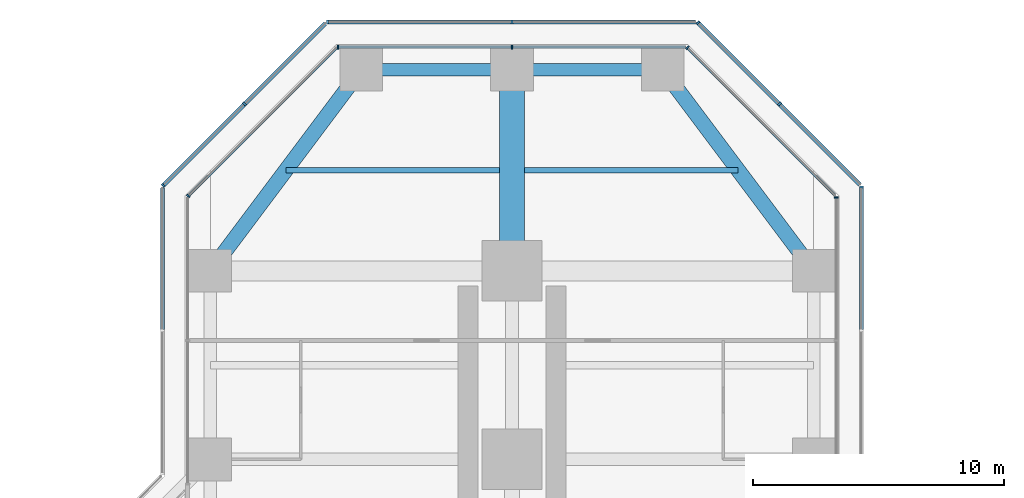
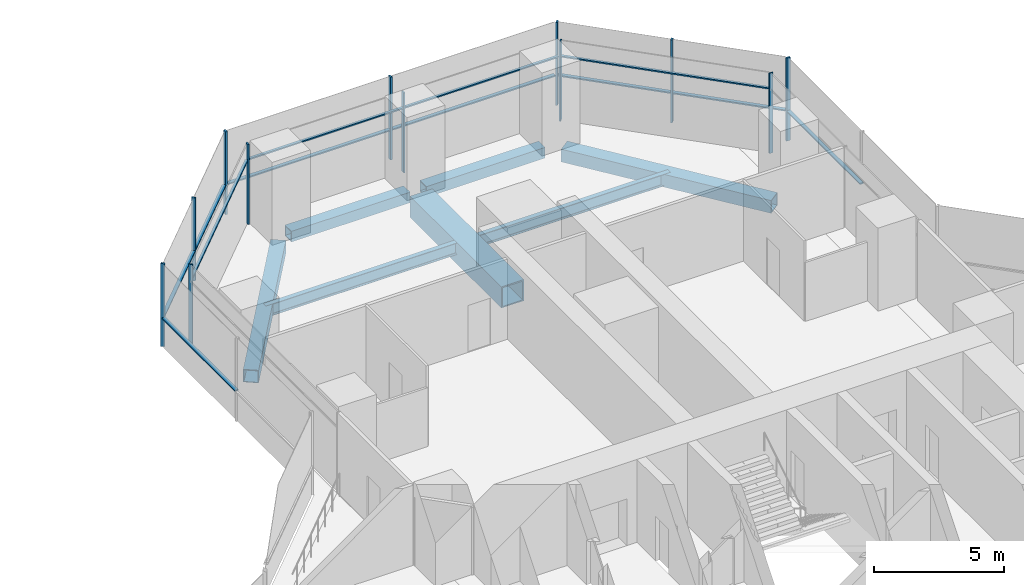
# One storey, part 13 of 22: 24 members, 7 beams, 9 elements without a shape of their own.
"""IFC4 building model written with IfcOpenShell, lengths in metres."""

from ifc_helpers import new_model, si_unit, direction, frame, origin, origin_2d, place, context, subcontext, project, spatial, rectangle, hollow_rectangle, i_section, extrude, material, material_profile, profile_set, type_object, element, aggregate, save


model = new_model("IFC4")

# Units and contexts
model_context = context("Model", 3, precision=1e-05, world=origin(), true_north=direction((0.0, 1.0)))
body_context = subcontext(model_context, "Body", "Model", "MODEL_VIEW")
ifc_project = project(units=[si_unit("LENGTHUNIT", "METRE"), si_unit("AREAUNIT", "SQUARE_METRE"), si_unit("VOLUMEUNIT", "CUBIC_METRE"), si_unit("PLANEANGLEUNIT", "RADIAN"), si_unit("MASSUNIT", "GRAM", prefix="KILO")], contexts=[model_context])

# Site, building, storey
site_placement = place(None, origin())
site = spatial("IfcSite", under=ifc_project, at=site_placement, CompositionType="ELEMENT")
building_placement = place(site_placement, origin())
building = spatial("IfcBuilding", under=site, at=building_placement, Name="Mizan Broadcast Tower", CompositionType="ELEMENT")
storey_placement = place(building_placement, frame((0.0, 0.0, 86.39990234375)))
storey = spatial("IfcBuildingStorey", under=building, at=storey_placement, Name="L18", CompositionType="ELEMENT", Elevation=86.39990234375)

# Beams
ifc_material_1 = material(Name="Steel S355", Category="steel")
ifc_material_profile_1 = material_profile(ifc_material_1, hollow_rectangle(XDim=0.5, YDim=0.5, WallThickness=0.030029296875, at=origin_2d()), Name="BOX 500x500x30")
ifc_profile_set_1 = profile_set([ifc_material_profile_1], Name="Steel S355")
beam_type_1 = type_object("IfcBeamType", Name="EDGE BEAM BOX 500x500x30", PredefinedType="SPANDREL", material=ifc_profile_set_1)
for number, where, z_axis, x_axis, name in (
    (1, (5.639892578125, 35.0, -0.3798828125), (-1.0, 0.0, 0.0), (0.0, -1.0, 0.0), "Edge beam BOX 500x500x30 L18 north arm"),
    (2, (-5.639892578125, 35.0, -0.3798828125), (1.0, 0.0, 0.0), (0.0, 1.0, 0.0), "Edge beam BOX 500x500x30 L18 north arm"),
):
    element("IfcBeam", number, at=place(storey_placement, frame(where, z_axis=z_axis, x_axis=x_axis)), inside=storey, type_object=beam_type_1, Name=name, PredefinedType="SPANDREL", context=body_context, shape_type="SweptSolid", body=[
        extrude(hollow_rectangle(XDim=0.5, YDim=0.5, WallThickness=0.030029296875, at=origin_2d()), origin(), (0.0, 0.0, 1.0), 5.27978515625),
    ])
ifc_material_2 = material(Name="Steel S355", Category="steel")
ifc_material_profile_2 = material_profile(ifc_material_2, hollow_rectangle(XDim=0.60009765625, YDim=0.60009765625, WallThickness=0.030029296875, at=origin_2d()), Name="BOX 600x600x30")
ifc_profile_set_2 = profile_set([ifc_material_profile_2], Name="Steel S355")
beam_type_2 = type_object("IfcBeamType", Name="EDGE BEAM BOX 600x600x30", PredefinedType="SPANDREL", material=ifc_profile_set_2)
for number, where, z_axis, x_axis, name in (
    (3, (11.639892578125, 27.47998046875, -0.429931640625), (-0.599982243973, 0.800013316712, 0.0), (-0.800013316712, -0.599982243973, 0.0), "Edge beam BOX 600x600x30 L18 north arm"),
    (4, (-11.639892578125, 27.47998046875, -0.429931640625), (0.599982243973, 0.800013316712, 0.0), (-0.800013316712, 0.599982243973, 0.0), "Edge beam BOX 600x600x30 L18 north arm"),
):
    element("IfcBeam", number, at=place(storey_placement, frame(where, z_axis=z_axis, x_axis=x_axis)), inside=storey, type_object=beam_type_2, Name=name, PredefinedType="SPANDREL", context=body_context, shape_type="SweptSolid", body=[
        extrude(hollow_rectangle(XDim=0.60009765625, YDim=0.60009765625, WallThickness=0.030029296875, at=origin_2d()), origin(), (0.0, 0.0, 1.0), 8.7998046875),
    ])
ifc_material_3 = material(Name="Steel S460", Category="steel")
ifc_material_profile_3 = material_profile(ifc_material_3, hollow_rectangle(XDim=1.0, YDim=1.0, WallThickness=0.06005859375, at=origin_2d()), Name="BOX 1000x1000x60")
ifc_profile_set_3 = profile_set([ifc_material_profile_3], Name="Steel S460")
beam_type_3 = type_object("IfcBeamType", Name="GIRDER BOX 1000x1000x60", PredefinedType="BEAM", material=ifc_profile_set_3)
beam_placement = place(storey_placement, frame((0.0, 27.47998046875, -0.6298828125), z_axis=(0.0, 1.0, 0.0), x_axis=(-1.0, 0.0, 0.0)))
element("IfcBeam", 5, at=beam_placement, inside=storey, type_object=beam_type_3, Name="Girder BOX 1000x1000x60 L18 north arm", PredefinedType="BEAM", context=body_context, shape_type="SweptSolid", body=[
    extrude(hollow_rectangle(XDim=1.0, YDim=1.0, WallThickness=0.06005859375, at=origin_2d()), origin(), (0.0, 0.0, 1.0), 7.0400390625),
])

# Curtain wall, member
ifc_material_4 = material(Name="Aluminium framed glazing", Category="aluminium")
curtain_wall_type_1 = type_object("IfcCurtainWallType", Name="INNER SKIN LOW ZONE", PredefinedType="USERDEFINED", material=ifc_material_4)
curtain_wall_1_placement = place(storey_placement, origin())
curtain_wall_1 = element("IfcCurtainWall", 6, at=curtain_wall_1_placement, inside=storey, type_object=curtain_wall_type_1, Name="Inner skin low zone L18 N side", ObjectType="INNER SKIN LOW ZONE", PredefinedType="USERDEFINED")
ifc_material_5 = material(Name="Aluminium, pale anodised", Category="aluminium")
ifc_material_profile_4 = material_profile(ifc_material_5, rectangle(XDim=0.159912109375, YDim=0.06005859375, at=origin_2d()), Name="MULLION 160x60")
ifc_profile_set_4 = profile_set([ifc_material_profile_4], Name="Aluminium, pale anodised")
member_type_1 = type_object("IfcMemberType", Name="INNER SKIN MULLION 60x160", PredefinedType="MULLION", material=ifc_profile_set_4)
member_1_placement = place(storey_placement, frame((12.89990234375, 29.928466796875, 0.0), z_axis=(0.0, 0.0, 1.0), x_axis=(-1.0, 0.0, 0.0)))
member_1 = element("IfcMember", 7, at=member_1_placement, type_object=member_type_1, Name="Inner skin low zone L18 N side mullion 3", PredefinedType="MULLION", context=body_context, shape_type="SweptSolid", body=[
    extrude(rectangle(XDim=0.159912109375, YDim=0.06005859375, at=origin_2d()), origin(), (0.0, 0.0, 1.0), 3.77001953125),
])
aggregate(curtain_wall_1, [member_1])

curtain_wall_2_placement = place(storey_placement, origin())
curtain_wall_2 = element("IfcCurtainWall", 8, at=curtain_wall_2_placement, inside=storey, type_object=curtain_wall_type_1, Name="Inner skin low zone L18 N chamfer", ObjectType="INNER SKIN LOW ZONE", PredefinedType="USERDEFINED")
member_2_placement = place(storey_placement, frame((6.979736328125, 35.87890625, 0.0), z_axis=(0.0, 0.0, 1.0), x_axis=(-0.707106781187, -0.707106781187, 0.0)))
member_2 = element("IfcMember", 9, at=member_2_placement, type_object=member_type_1, Name="Inner skin low zone L18 N chamfer mullion 2", PredefinedType="MULLION", context=body_context, shape_type="SweptSolid", body=[
    extrude(rectangle(XDim=0.159912109375, YDim=0.06005859375, at=origin_2d()), origin(), (0.0, 0.0, 1.0), 3.77001953125),
])

# Curtain wall, members
curtain_wall_3_placement = place(storey_placement, origin())
curtain_wall_3 = element("IfcCurtainWall", 10, at=curtain_wall_3_placement, inside=storey, type_object=curtain_wall_type_1, Name="Inner skin low zone L18 N end", ObjectType="INNER SKIN LOW ZONE", PredefinedType="USERDEFINED")
member_3_placement = place(storey_placement, frame((0.0, 35.89990234375, 0.0), z_axis=(0.0, 0.0, 1.0), x_axis=(0.0, -1.0, 0.0)))
member_3 = element("IfcMember", 11, at=member_3_placement, type_object=member_type_1, Name="Inner skin low zone L18 N end mullion 2", PredefinedType="MULLION", context=body_context, shape_type="SweptSolid", body=[
    extrude(rectangle(XDim=0.159912109375, YDim=0.06005859375, at=origin_2d()), origin(), (0.0, 0.0, 1.0), 3.77001953125),
])
member_4_placement = place(storey_placement, frame((-6.928466796875, 35.89990234375, 0.0), z_axis=(0.0, 0.0, 1.0), x_axis=(0.0, -1.0, 0.0)))
member_4 = element("IfcMember", 12, at=member_4_placement, type_object=member_type_1, Name="Inner skin low zone L18 N end mullion 3", PredefinedType="MULLION", context=body_context, shape_type="SweptSolid", body=[
    extrude(rectangle(XDim=0.159912109375, YDim=0.06005859375, at=origin_2d()), origin(), (0.0, 0.0, 1.0), 3.77001953125),
])

# Curtain wall, member
curtain_wall_4_placement = place(storey_placement, origin())
curtain_wall_4 = element("IfcCurtainWall", 13, at=curtain_wall_4_placement, inside=storey, type_object=curtain_wall_type_1, Name="Inner skin low zone L18 N chamfer", ObjectType="INNER SKIN LOW ZONE", PredefinedType="USERDEFINED")
member_5_placement = place(storey_placement, frame((-12.87890625, 29.979736328125, 0.0), z_axis=(0.0, 0.0, 1.0), x_axis=(0.707106781187, -0.707106781187, 0.0)))
member_5 = element("IfcMember", 14, at=member_5_placement, type_object=member_type_1, Name="Inner skin low zone L18 N chamfer mullion 2", PredefinedType="MULLION", context=body_context, shape_type="SweptSolid", body=[
    extrude(rectangle(XDim=0.159912109375, YDim=0.06005859375, at=origin_2d()), origin(), (0.0, 0.0, 1.0), 3.77001953125),
])

# Member
ifc_material_6 = material(Name="Aluminium, pale anodised", Category="aluminium")
ifc_material_profile_5 = material_profile(ifc_material_6, rectangle(XDim=0.1201171875, YDim=0.06005859375, at=origin_2d()), Name="TRANSOM 120x60")
ifc_profile_set_5 = profile_set([ifc_material_profile_5], Name="Aluminium, pale anodised")
member_type_2 = type_object("IfcMemberType", Name="INNER SKIN TRANSOM 60x120", PredefinedType="USERDEFINED", material=ifc_profile_set_5)
member_6_placement = place(storey_placement, frame((12.857666015625, 30.0009765625, 3.030029296875), z_axis=(-0.707106781187, 0.707106781187, 0.0), x_axis=(-0.707106781187, -0.707106781187, 0.0)))
member_6 = element("IfcMember", 15, at=member_6_placement, type_object=member_type_2, Name="Inner skin low zone L18 N chamfer transom 1.1", ObjectType="TRANSOM", PredefinedType="USERDEFINED", context=body_context, shape_type="SweptSolid", body=[
    extrude(rectangle(XDim=0.1201171875, YDim=0.06005859375, at=origin_2d()), origin(), (0.0, 0.0, 1.0), 8.28271484375),
])

aggregate(curtain_wall_2, [member_2, member_6])

member_7_placement = place(storey_placement, frame((6.898681640625, 35.89990234375, 3.030029296875), z_axis=(-1.0, 0.0, 0.0), x_axis=(0.0, -1.0, 0.0)))
member_7 = element("IfcMember", 16, at=member_7_placement, type_object=member_type_2, Name="Inner skin low zone L18 N end transom 1.1", ObjectType="TRANSOM", PredefinedType="USERDEFINED", context=body_context, shape_type="SweptSolid", body=[
    extrude(rectangle(XDim=0.1201171875, YDim=0.06005859375, at=origin_2d()), origin(), (0.0, 0.0, 1.0), 6.86865234375),
])

member_8_placement = place(storey_placement, frame((-0.030029296875, 35.89990234375, 3.030029296875), z_axis=(-1.0, 0.0, 0.0), x_axis=(0.0, -1.0, 0.0)))
member_8 = element("IfcMember", 17, at=member_8_placement, type_object=member_type_2, Name="Inner skin low zone L18 N end transom 2.1", ObjectType="TRANSOM", PredefinedType="USERDEFINED", context=body_context, shape_type="SweptSolid", body=[
    extrude(rectangle(XDim=0.1201171875, YDim=0.06005859375, at=origin_2d()), origin(), (0.0, 0.0, 1.0), 6.86865234375),
])

aggregate(curtain_wall_3, [member_3, member_4, member_7, member_8])

member_9_placement = place(storey_placement, frame((-7.0009765625, 35.857666015625, 3.030029296875), z_axis=(-0.707106781187, -0.707106781187, 0.0), x_axis=(0.707106781187, -0.707106781187, 0.0)))
member_9 = element("IfcMember", 18, at=member_9_placement, type_object=member_type_2, Name="Inner skin low zone L18 N chamfer transom 1.1", ObjectType="TRANSOM", PredefinedType="USERDEFINED", context=body_context, shape_type="SweptSolid", body=[
    extrude(rectangle(XDim=0.1201171875, YDim=0.06005859375, at=origin_2d()), origin(), (0.0, 0.0, 1.0), 8.28271484375),
])

aggregate(curtain_wall_4, [member_5, member_9])

# Curtain wall, member
ifc_material_7 = material(Name="Aluminium framed glazing", Category="aluminium")
curtain_wall_type_2 = type_object("IfcCurtainWallType", Name="OUTER SKIN", PredefinedType="USERDEFINED", material=ifc_material_7)
curtain_wall_5_placement = place(storey_placement, origin())
curtain_wall_5 = element("IfcCurtainWall", 19, at=curtain_wall_5_placement, inside=storey, type_object=curtain_wall_type_2, Name="Outer skin L18 N side", ObjectType="OUTER SKIN", PredefinedType="USERDEFINED")
ifc_material_8 = material(Name="Aluminium, pale anodised", Category="aluminium")
ifc_material_profile_6 = material_profile(ifc_material_8, rectangle(XDim=0.159912109375, YDim=0.080078125, at=origin_2d()), Name="MULLION 160x80")
ifc_profile_set_6 = profile_set([ifc_material_profile_6], Name="Aluminium, pale anodised")
member_type_3 = type_object("IfcMemberType", Name="OUTER SKIN MULLION 80x160", PredefinedType="MULLION", material=ifc_profile_set_6)
member_10_placement = place(storey_placement, frame((13.89990234375, 30.332763671875, 0.0), z_axis=(0.0, 0.0, 1.0), x_axis=(-1.0, 0.0, 0.0)))
member_10 = element("IfcMember", 20, at=member_10_placement, type_object=member_type_3, Name="Outer skin L18 N side mullion 3", PredefinedType="MULLION", context=body_context, shape_type="SweptSolid", body=[
    extrude(rectangle(XDim=0.159912109375, YDim=0.080078125, at=origin_2d()), origin(), (0.0, 0.0, 1.0), 3.900146484375),
])

# Curtain wall, members
curtain_wall_6_placement = place(storey_placement, origin())
curtain_wall_6 = element("IfcCurtainWall", 21, at=curtain_wall_6_placement, inside=storey, type_object=curtain_wall_type_2, Name="Outer skin L18 N chamfer", ObjectType="OUTER SKIN", PredefinedType="USERDEFINED")
member_11_placement = place(storey_placement, frame((10.636474609375, 33.636474609375, 0.0), z_axis=(0.0, 0.0, 1.0), x_axis=(-0.707106781187, -0.707106781187, 0.0)))
member_11 = element("IfcMember", 22, at=member_11_placement, type_object=member_type_3, Name="Outer skin L18 N chamfer mullion 2", PredefinedType="MULLION", context=body_context, shape_type="SweptSolid", body=[
    extrude(rectangle(XDim=0.159912109375, YDim=0.080078125, at=origin_2d()), origin(), (0.0, 0.0, 1.0), 3.900146484375),
])
member_12_placement = place(storey_placement, frame((7.401123046875, 36.871826171875, 0.0), z_axis=(0.0, 0.0, 1.0), x_axis=(-0.707106781187, -0.707106781187, 0.0)))
member_12 = element("IfcMember", 23, at=member_12_placement, type_object=member_type_3, Name="Outer skin L18 N chamfer mullion 3", PredefinedType="MULLION", context=body_context, shape_type="SweptSolid", body=[
    extrude(rectangle(XDim=0.159912109375, YDim=0.080078125, at=origin_2d()), origin(), (0.0, 0.0, 1.0), 3.900146484375),
])

curtain_wall_7_placement = place(storey_placement, origin())
curtain_wall_7 = element("IfcCurtainWall", 24, at=curtain_wall_7_placement, inside=storey, type_object=curtain_wall_type_2, Name="Outer skin L18 N end", ObjectType="OUTER SKIN", PredefinedType="USERDEFINED")
member_13_placement = place(storey_placement, frame((0.0, 36.89990234375, 0.0), z_axis=(0.0, 0.0, 1.0), x_axis=(0.0, -1.0, 0.0)))
member_13 = element("IfcMember", 25, at=member_13_placement, type_object=member_type_3, Name="Outer skin L18 N end mullion 2", PredefinedType="MULLION", context=body_context, shape_type="SweptSolid", body=[
    extrude(rectangle(XDim=0.159912109375, YDim=0.080078125, at=origin_2d()), origin(), (0.0, 0.0, 1.0), 3.900146484375),
])
member_14_placement = place(storey_placement, frame((-7.332763671875, 36.89990234375, 0.0), z_axis=(0.0, 0.0, 1.0), x_axis=(0.0, -1.0, 0.0)))
member_14 = element("IfcMember", 26, at=member_14_placement, type_object=member_type_3, Name="Outer skin L18 N end mullion 3", PredefinedType="MULLION", context=body_context, shape_type="SweptSolid", body=[
    extrude(rectangle(XDim=0.159912109375, YDim=0.080078125, at=origin_2d()), origin(), (0.0, 0.0, 1.0), 3.900146484375),
])

curtain_wall_8_placement = place(storey_placement, origin())
curtain_wall_8 = element("IfcCurtainWall", 27, at=curtain_wall_8_placement, inside=storey, type_object=curtain_wall_type_2, Name="Outer skin L18 N chamfer", ObjectType="OUTER SKIN", PredefinedType="USERDEFINED")
member_15_placement = place(storey_placement, frame((-10.636474609375, 33.636474609375, 0.0), z_axis=(0.0, 0.0, 1.0), x_axis=(0.707106781187, -0.707106781187, 0.0)))
member_15 = element("IfcMember", 28, at=member_15_placement, type_object=member_type_3, Name="Outer skin L18 N chamfer mullion 2", PredefinedType="MULLION", context=body_context, shape_type="SweptSolid", body=[
    extrude(rectangle(XDim=0.159912109375, YDim=0.080078125, at=origin_2d()), origin(), (0.0, 0.0, 1.0), 3.900146484375),
])
member_16_placement = place(storey_placement, frame((-13.871826171875, 30.401123046875, 0.0), z_axis=(0.0, 0.0, 1.0), x_axis=(0.707106781187, -0.707106781187, 0.0)))
member_16 = element("IfcMember", 29, at=member_16_placement, type_object=member_type_3, Name="Outer skin L18 N chamfer mullion 3", PredefinedType="MULLION", context=body_context, shape_type="SweptSolid", body=[
    extrude(rectangle(XDim=0.159912109375, YDim=0.080078125, at=origin_2d()), origin(), (0.0, 0.0, 1.0), 3.900146484375),
])

# Member
ifc_material_9 = material(Name="Aluminium, pale anodised", Category="aluminium")
ifc_material_profile_7 = material_profile(ifc_material_9, rectangle(XDim=0.159912109375, YDim=0.06005859375, at=origin_2d()), Name="TRANSOM 160x60")
ifc_profile_set_7 = profile_set([ifc_material_profile_7], Name="Aluminium, pale anodised")
member_type_4 = type_object("IfcMemberType", Name="OUTER SKIN TRANSOM 60x160", PredefinedType="USERDEFINED", material=ifc_profile_set_7)
member_17_placement = place(storey_placement, frame((13.89990234375, 24.662841796875, 1.400146484375), z_axis=(0.0, 1.0, 0.0), x_axis=(-1.0, 0.0, 0.0)))
member_17 = element("IfcMember", 30, at=member_17_placement, type_object=member_type_4, Name="Outer skin L18 N side transom 2.1", ObjectType="TRANSOM", PredefinedType="USERDEFINED", context=body_context, shape_type="SweptSolid", body=[
    extrude(rectangle(XDim=0.159912109375, YDim=0.06005859375, at=origin_2d()), origin(), (0.0, 0.0, 1.0), 5.6298828125),
])

aggregate(curtain_wall_5, [member_10, member_17])

member_18_placement = place(storey_placement, frame((13.843505859375, 30.429443359375, 1.400146484375), z_axis=(-0.707106781187, 0.707106781187, 0.0), x_axis=(-0.707106781187, -0.707106781187, 0.0)))
member_18 = element("IfcMember", 31, at=member_18_placement, type_object=member_type_4, Name="Outer skin L18 N chamfer transom 1.1", ObjectType="TRANSOM", PredefinedType="USERDEFINED", context=body_context, shape_type="SweptSolid", body=[
    extrude(rectangle(XDim=0.159912109375, YDim=0.06005859375, at=origin_2d()), origin(), (0.0, 0.0, 1.0), 4.495361328125),
])

member_19_placement = place(storey_placement, frame((10.608154296875, 33.664794921875, 1.400146484375), z_axis=(-0.707106781187, 0.707106781187, 0.0), x_axis=(-0.707106781187, -0.707106781187, 0.0)))
member_19 = element("IfcMember", 32, at=member_19_placement, type_object=member_type_4, Name="Outer skin L18 N chamfer transom 2.1", ObjectType="TRANSOM", PredefinedType="USERDEFINED", context=body_context, shape_type="SweptSolid", body=[
    extrude(rectangle(XDim=0.159912109375, YDim=0.06005859375, at=origin_2d()), origin(), (0.0, 0.0, 1.0), 4.495361328125),
])

aggregate(curtain_wall_6, [member_11, member_12, member_18, member_19])

member_20_placement = place(storey_placement, frame((7.292724609375, 36.89990234375, 1.400146484375), z_axis=(-1.0, 0.0, 0.0), x_axis=(0.0, -1.0, 0.0)))
member_20 = element("IfcMember", 33, at=member_20_placement, type_object=member_type_4, Name="Outer skin L18 N end transom 1.1", ObjectType="TRANSOM", PredefinedType="USERDEFINED", context=body_context, shape_type="SweptSolid", body=[
    extrude(rectangle(XDim=0.159912109375, YDim=0.06005859375, at=origin_2d()), origin(), (0.0, 0.0, 1.0), 7.252685546875),
])

member_21_placement = place(storey_placement, frame((-0.0400390625, 36.89990234375, 1.400146484375), z_axis=(-1.0, 0.0, 0.0), x_axis=(0.0, -1.0, 0.0)))
member_21 = element("IfcMember", 34, at=member_21_placement, type_object=member_type_4, Name="Outer skin L18 N end transom 2.1", ObjectType="TRANSOM", PredefinedType="USERDEFINED", context=body_context, shape_type="SweptSolid", body=[
    extrude(rectangle(XDim=0.159912109375, YDim=0.06005859375, at=origin_2d()), origin(), (0.0, 0.0, 1.0), 7.252685546875),
])

aggregate(curtain_wall_7, [member_13, member_14, member_20, member_21])

member_22_placement = place(storey_placement, frame((-7.429443359375, 36.843505859375, 1.400146484375), z_axis=(-0.707106781187, -0.707106781187, 0.0), x_axis=(0.707106781187, -0.707106781187, 0.0)))
member_22 = element("IfcMember", 35, at=member_22_placement, type_object=member_type_4, Name="Outer skin L18 N chamfer transom 1.1", ObjectType="TRANSOM", PredefinedType="USERDEFINED", context=body_context, shape_type="SweptSolid", body=[
    extrude(rectangle(XDim=0.159912109375, YDim=0.06005859375, at=origin_2d()), origin(), (0.0, 0.0, 1.0), 4.495361328125),
])

member_23_placement = place(storey_placement, frame((-10.664794921875, 33.608154296875, 1.400146484375), z_axis=(-0.707106781187, -0.707106781187, 0.0), x_axis=(0.707106781187, -0.707106781187, 0.0)))
member_23 = element("IfcMember", 36, at=member_23_placement, type_object=member_type_4, Name="Outer skin L18 N chamfer transom 2.1", ObjectType="TRANSOM", PredefinedType="USERDEFINED", context=body_context, shape_type="SweptSolid", body=[
    extrude(rectangle(XDim=0.159912109375, YDim=0.06005859375, at=origin_2d()), origin(), (0.0, 0.0, 1.0), 4.495361328125),
])

aggregate(curtain_wall_8, [member_15, member_16, member_22, member_23])

# Curtain wall, member
curtain_wall_9_placement = place(storey_placement, origin())
curtain_wall_9 = element("IfcCurtainWall", 37, at=curtain_wall_9_placement, inside=storey, type_object=curtain_wall_type_2, Name="Outer skin L18 N side", ObjectType="OUTER SKIN", PredefinedType="USERDEFINED")
member_24_placement = place(storey_placement, frame((-13.89990234375, 30.292724609375, 1.400146484375), z_axis=(0.0, -1.0, 0.0), x_axis=(1.0, 0.0, 0.0)))
member_24 = element("IfcMember", 38, at=member_24_placement, type_object=member_type_4, Name="Outer skin L18 N side transom 1.1", ObjectType="TRANSOM", PredefinedType="USERDEFINED", context=body_context, shape_type="SweptSolid", body=[
    extrude(rectangle(XDim=0.159912109375, YDim=0.06005859375, at=origin_2d()), origin(), (0.0, 0.0, 1.0), 5.6298828125),
])
aggregate(curtain_wall_9, [member_24])

# Beams
ifc_material_10 = material(Name="Steel S355", Category="steel")
ifc_material_profile_8 = material_profile(ifc_material_10, i_section(OverallWidth=0.2099609375, OverallDepth=0.550048828125, WebThickness=0.010986328125, FlangeThickness=0.01708984375, FilletRadius=0.02392578125, at=origin_2d()), Name="IPE 550")
ifc_profile_set_8 = profile_set([ifc_material_profile_8], Name="Steel S355")
beam_type_4 = type_object("IfcBeamType", Name="SECONDARY BEAM IPE 550", PredefinedType="JOIST", material=ifc_profile_set_8)
for number, where, z_axis, x_axis, name in (
    (39, (9.0, 31.0, -0.40478515625), (-1.0, 0.0, 0.0), (0.0, -1.0, 0.0), "Secondary beam IPE 550 L18 north arm"),
    (40, (-9.0, 31.0, -0.40478515625), (1.0, 0.0, 0.0), (0.0, 1.0, 0.0), "Secondary beam IPE 550 L18 north arm"),
):
    element("IfcBeam", number, at=place(storey_placement, frame(where, z_axis=z_axis, x_axis=x_axis)), inside=storey, type_object=beam_type_4, Name=name, PredefinedType="JOIST", context=body_context, shape_type="SweptSolid", body=[
        extrude(i_section(OverallWidth=0.2099609375, OverallDepth=0.550048828125, WebThickness=0.010986328125, FlangeThickness=0.01708984375, FilletRadius=0.02392578125, at=origin_2d()), origin(), (0.0, 0.0, 1.0), 8.5),
    ])

save(model, "model.ifc")
